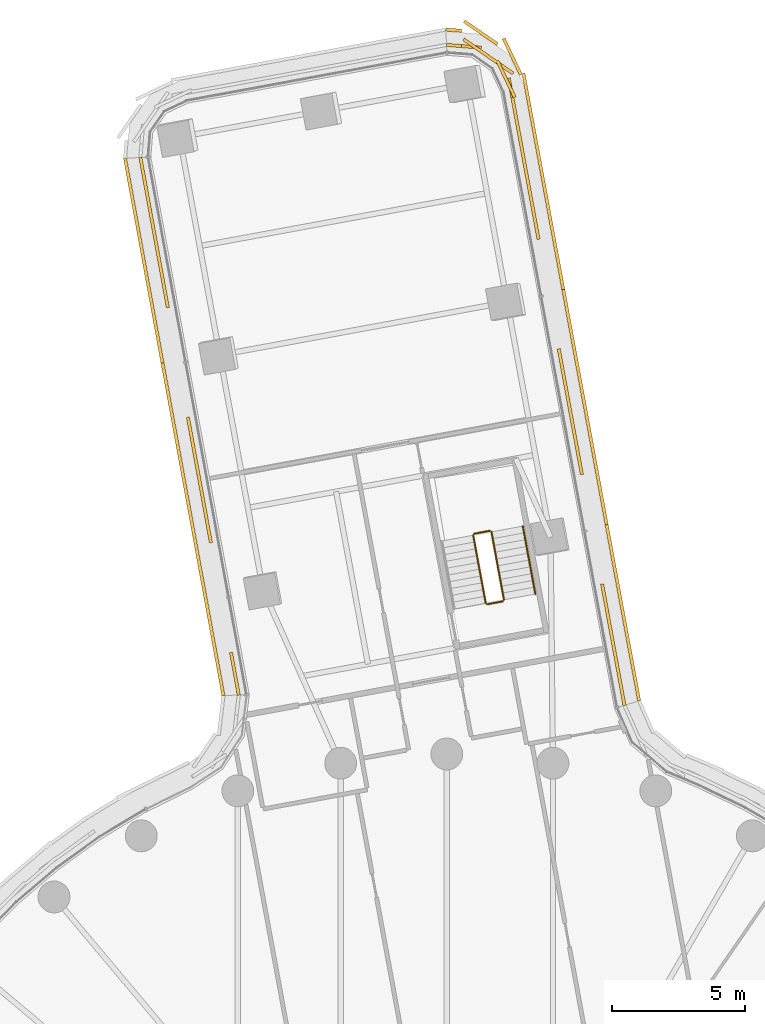
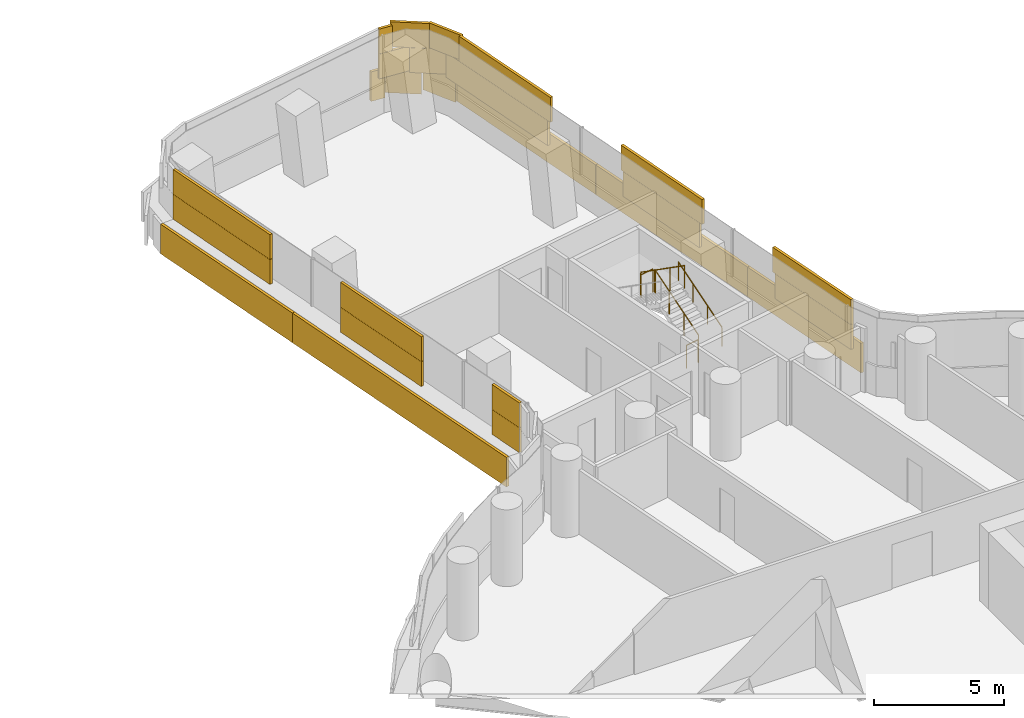
# One storey, part 32 of 33: 5 coverings, 5 railings.
"""IFC4 building model written with IfcOpenShell, lengths in metres."""

from ifc_helpers import new_model, si_unit, direction, frame, origin, origin_2d, place, context, subcontext, project, spatial, rectangle, circle, extrude, material, layer, layer_set, type_object, element, save


model = new_model("IFC4")

# Units and contexts
model_context = context("Model", 3, precision=1e-05, world=origin(), true_north=direction((0.0, 1.0)))
body_context = subcontext(model_context, "Body", "Model", "MODEL_VIEW")
ifc_project = project(units=[si_unit("LENGTHUNIT", "METRE"), si_unit("AREAUNIT", "SQUARE_METRE"), si_unit("VOLUMEUNIT", "CUBIC_METRE"), si_unit("PLANEANGLEUNIT", "RADIAN"), si_unit("MASSUNIT", "GRAM", prefix="KILO")], contexts=[model_context])

# Site, building, storey
site_placement = place(None, origin())
site = spatial("IfcSite", under=ifc_project, at=site_placement, CompositionType="ELEMENT")
building_placement = place(site_placement, origin())
building = spatial("IfcBuilding", under=site, at=building_placement, Name="Tamarind Cross Interchange Tower", CompositionType="ELEMENT")
storey_placement = place(building_placement, frame((0.0, 0.0, 71.5)))
storey = spatial("IfcBuildingStorey", under=building, at=storey_placement, Name="L16", CompositionType="ELEMENT", Elevation=71.5)

# Railings
ifc_material_1 = material(Name="Stair guard")
railing_type_1 = type_object("IfcRailingType", Name="Stair guard", PredefinedType="GUARDRAIL", material=ifc_material_1)
railing_1_placement = place(storey_placement, frame((2.152099609375, 28.802978515625, 0.17041015625)))
element("IfcRailing", 1, at=railing_1_placement, inside=storey, type_object=railing_type_1, Name="L16 ST4 stair guard 1", PredefinedType="GUARDRAIL", context=body_context, shape_type="SweptSolid", body=[
    extrude(circle(Radius=0.02392578125, at=origin_2d()), frame((0.0, 0.0, 1.076171875), z_axis=(-0.151715164176, 0.822418692761, 0.548279128507), x_axis=(-0.983406930214, -0.181413366674, 0.0)), (0.0, 0.0, 1.0), 3.10888671875),
    extrude(circle(Radius=0.02099609375, at=origin_2d()), origin(), (0.0, 0.0, 1.0), 1.052001953125),
    extrude(circle(Radius=0.02099609375, at=origin_2d()), frame((-0.1572265625, 0.852294921875, 0.568115234375)), (0.0, 0.0, 1.0), 1.052001953125),
    extrude(circle(Radius=0.02099609375, at=origin_2d()), frame((-0.314453125, 1.70458984375, 1.136474609375)), (0.0, 0.0, 1.0), 1.052001953125),
    extrude(circle(Radius=0.02099609375, at=origin_2d()), frame((-0.4716796875, 2.556884765625, 1.70458984375)), (0.0, 0.0, 1.0), 1.052001953125),
])
railing_2_placement = place(storey_placement, frame((1.622314453125, 31.400146484375, 1.875)))
element("IfcRailing", 2, at=railing_2_placement, inside=storey, type_object=railing_type_1, Name="L16 ST4 stair guard 2", PredefinedType="GUARDRAIL", context=body_context, shape_type="SweptSolid", body=[
    extrude(circle(Radius=0.02392578125, at=origin_2d()), frame((0.0, 0.0, 1.076171875), z_axis=(-0.983397821889, -0.1814627342, 0.0), x_axis=(0.1814627342, -0.983397821889, 0.0)), (0.0, 0.0, 1.0), 0.60009765625),
    extrude(circle(Radius=0.02099609375, at=origin_2d()), origin(), (0.0, 0.0, 1.0), 1.052001953125),
    extrude(circle(Radius=0.02099609375, at=origin_2d()), frame((-0.590087890625, -0.10888671875, 0.0)), (0.0, 0.0, 1.0), 1.052001953125),
])
railing_3_placement = place(storey_placement, frame((0.9921875, 31.23291015625, 2.04541015625)))
element("IfcRailing", 3, at=railing_3_placement, inside=storey, type_object=railing_type_1, Name="L16 ST4 stair guard 3", PredefinedType="GUARDRAIL", context=body_context, shape_type="SweptSolid", body=[
    extrude(circle(Radius=0.02392578125, at=origin_2d()), frame((0.0, 0.0, 1.076171875), z_axis=(0.151638442794, -0.822428488544, 0.54828565903), x_axis=(0.983423678231, 0.181322555396, 0.0)), (0.0, 0.0, 1.0), 3.10888671875),
    extrude(circle(Radius=0.02099609375, at=origin_2d()), origin(), (0.0, 0.0, 1.0), 1.052001953125),
    extrude(circle(Radius=0.02099609375, at=origin_2d()), frame((0.1572265625, -0.852294921875, 0.568115234375)), (0.0, 0.0, 1.0), 1.052001953125),
    extrude(circle(Radius=0.02099609375, at=origin_2d()), frame((0.314208984375, -1.70458984375, 1.136474609375)), (0.0, 0.0, 1.0), 1.052001953125),
    extrude(circle(Radius=0.02099609375, at=origin_2d()), frame((0.471435546875, -2.556884765625, 1.70458984375)), (0.0, 0.0, 1.0), 1.052001953125),
])
railing_4_placement = place(storey_placement, frame((2.11181640625, 28.744873046875, 0.0)))
element("IfcRailing", 4, at=railing_4_placement, inside=storey, type_object=railing_type_1, Name="L16 ST4 stair guard 4", PredefinedType="GUARDRAIL", context=body_context, shape_type="SweptSolid", body=[
    extrude(circle(Radius=0.02392578125, at=origin_2d()), frame((0.0, 0.0, 1.076171875), z_axis=(-0.983397821889, -0.1814627342, 0.0), x_axis=(0.1814627342, -0.983397821889, 0.0)), (0.0, 0.0, 1.0), 0.60009765625),
    extrude(circle(Radius=0.02099609375, at=origin_2d()), origin(), (0.0, 0.0, 1.0), 1.052001953125),
    extrude(circle(Radius=0.02099609375, at=origin_2d()), frame((-0.590087890625, -0.10888671875, 0.0)), (0.0, 0.0, 1.0), 1.052001953125),
])
ifc_material_2 = material(Name="Stair handrail")
railing_type_2 = type_object("IfcRailingType", Name="Stair handrail", PredefinedType="HANDRAIL", material=ifc_material_2)
railing_5_placement = place(storey_placement, frame((3.33203125, 29.020751953125, 0.17041015625)))
element("IfcRailing", 5, at=railing_5_placement, inside=storey, type_object=railing_type_2, Name="L16 ST4 stair handrail 1", PredefinedType="HANDRAIL", context=body_context, shape_type="SweptSolid", body=[
    extrude(circle(Radius=0.02392578125, at=origin_2d()), frame((0.0, 0.0, 0.8759765625), z_axis=(-0.151638442794, 0.822428488544, 0.54828565903), x_axis=(-0.983423678231, -0.181322555396, 0.0)), (0.0, 0.0, 1.0), 3.10888671875),
    extrude(circle(Radius=0.02099609375, at=origin_2d()), origin(), (0.0, 0.0, 1.0), 0.851806640625),
    extrude(circle(Radius=0.02099609375, at=origin_2d()), frame((-0.1572265625, 0.852294921875, 0.568115234375)), (0.0, 0.0, 1.0), 0.851806640625),
    extrude(circle(Radius=0.02099609375, at=origin_2d()), frame((-0.314208984375, 1.70458984375, 1.136474609375)), (0.0, 0.0, 1.0), 0.851806640625),
    extrude(circle(Radius=0.02099609375, at=origin_2d()), frame((-0.471435546875, 2.556884765625, 1.70458984375)), (0.0, 0.0, 1.0), 0.851806640625),
])

# Coverings
ifc_material_3 = material(Name="Terracotta", Category="masonry")
ifc_layer = layer(ifc_material_3, 0.1201171875)
ifc_layer_set = layer_set([ifc_layer], Name="Terracotta")
covering_type = type_object("IfcCoveringType", Name="Terracotta baguette screen unit", PredefinedType="MOLDING", material=ifc_layer_set)
covering_1_placement = place(storey_placement, origin())
element("IfcCovering", 6, at=covering_1_placement, inside=storey, type_object=covering_type, Name="SCR-L16-11-00", PredefinedType="MOLDING", context=body_context, shape_type="SweptSolid", body=[
    extrude(rectangle(XDim=1.510009765625, YDim=0.1201171875, at=origin_2d()), frame((6.55126953125, 25.570068359375, 1.404052734375), z_axis=(0.0, 0.0, 1.0), x_axis=(-0.181343076715, 0.983419894311, 0.0)), (0.0, 0.0, 1.0), 1.1669921875),
    extrude(rectangle(XDim=1.52001953125, YDim=0.1201171875, at=origin_2d()), frame((6.279296875, 27.045166015625, 1.404052734375), z_axis=(0.0, 0.0, 1.0), x_axis=(-0.181343076715, 0.983419894311, 0.0)), (0.0, 0.0, 1.0), 1.1669921875),
    extrude(rectangle(XDim=1.52001953125, YDim=0.1201171875, at=origin_2d()), frame((6.007080078125, 28.5205078125, 1.404052734375), z_axis=(0.0, 0.0, 1.0), x_axis=(-0.181343076715, 0.983419894311, 0.0)), (0.0, 0.0, 1.0), 1.1669921875),
    extrude(rectangle(XDim=0.760009765625, YDim=0.1201171875, at=origin_2d()), frame((6.619140625, 25.201416015625, 2.5791015625), z_axis=(0.0, 0.0, 1.0), x_axis=(-0.181343076715, 0.983419894311, 0.0)), (0.0, 0.0, 1.0), 1.1669921875),
    extrude(rectangle(XDim=1.52001953125, YDim=0.1201171875, at=origin_2d()), frame((6.415283203125, 26.3076171875, 2.5791015625), z_axis=(0.0, 0.0, 1.0), x_axis=(-0.181343076715, 0.983419894311, 0.0)), (0.0, 0.0, 1.0), 1.1669921875),
    extrude(rectangle(XDim=1.52001953125, YDim=0.1201171875, at=origin_2d()), frame((6.14306640625, 27.782958984375, 2.5791015625), z_axis=(0.0, 0.0, 1.0), x_axis=(-0.181343076715, 0.983419894311, 0.0)), (0.0, 0.0, 1.0), 1.1669921875),
    extrude(rectangle(XDim=0.89794921875, YDim=0.1201171875, at=origin_2d()), frame((5.9267578125, 28.95703125, 2.5791015625), z_axis=(0.0, 0.0, 1.0), x_axis=(-0.181343076715, 0.983419894311, 0.0)), (0.0, 0.0, 1.0), 1.1669921875),
    extrude(rectangle(XDim=1.510009765625, YDim=0.1201171875, at=origin_2d()), frame((7.102783203125, 25.74462890625, 0.00390625), z_axis=(0.0, 0.0, 1.0), x_axis=(-0.181343076715, 0.983419894311, 0.0)), (0.0, 0.0, 1.0), 1.39208984375),
    extrude(rectangle(XDim=1.52001953125, YDim=0.1201171875, at=origin_2d()), frame((6.83154296875, 27.21484375, 0.00390625), z_axis=(0.0, 0.0, 1.0), x_axis=(-0.181343076715, 0.983419894311, 0.0)), (0.0, 0.0, 1.0), 1.39208984375),
    extrude(rectangle(XDim=1.52001953125, YDim=0.1201171875, at=origin_2d()), frame((6.5595703125, 28.68994140625, 0.00390625), z_axis=(0.0, 0.0, 1.0), x_axis=(-0.181343076715, 0.983419894311, 0.0)), (0.0, 0.0, 1.0), 1.39208984375),
    extrude(rectangle(XDim=1.52001953125, YDim=0.1201171875, at=origin_2d()), frame((6.28759765625, 30.1650390625, 0.00390625), z_axis=(0.0, 0.0, 1.0), x_axis=(-0.181343076715, 0.983419894311, 0.0)), (0.0, 0.0, 1.0), 1.39208984375),
    extrude(rectangle(XDim=0.75048828125, YDim=0.1201171875, at=origin_2d()), frame((6.08544921875, 31.26171875, 0.00390625), z_axis=(0.0, 0.0, 1.0), x_axis=(-0.181343076715, 0.983419894311, 0.0)), (0.0, 0.0, 1.0), 1.39208984375),
])
covering_2_placement = place(storey_placement, origin())
element("IfcCovering", 7, at=covering_2_placement, inside=storey, type_object=covering_type, Name="SCR-L16-11-01", PredefinedType="MOLDING", context=body_context, shape_type="SweptSolid", body=[
    extrude(rectangle(XDim=1.52001953125, YDim=0.1201171875, at=origin_2d()), frame((4.919189453125, 34.4208984375, 1.404052734375), z_axis=(0.0, 0.0, 1.0), x_axis=(-0.181343076715, 0.983419894311, 0.0)), (0.0, 0.0, 1.0), 1.1669921875),
    extrude(rectangle(XDim=1.52001953125, YDim=0.1201171875, at=origin_2d()), frame((4.647216796875, 35.89599609375, 1.404052734375), z_axis=(0.0, 0.0, 1.0), x_axis=(-0.181343076715, 0.983419894311, 0.0)), (0.0, 0.0, 1.0), 1.1669921875),
    extrude(rectangle(XDim=1.52001953125, YDim=0.1201171875, at=origin_2d()), frame((4.375, 37.37109375, 1.404052734375), z_axis=(0.0, 0.0, 1.0), x_axis=(-0.181343076715, 0.983419894311, 0.0)), (0.0, 0.0, 1.0), 1.1669921875),
    extrude(rectangle(XDim=0.922119140625, YDim=0.1201171875, at=origin_2d()), frame((5.001708984375, 33.972412109375, 2.5791015625), z_axis=(0.0, 0.0, 1.0), x_axis=(-0.181343076715, 0.983419894311, 0.0)), (0.0, 0.0, 1.0), 1.1669921875),
    extrude(rectangle(XDim=1.52001953125, YDim=0.1201171875, at=origin_2d()), frame((4.783203125, 35.158447265625, 2.5791015625), z_axis=(0.0, 0.0, 1.0), x_axis=(-0.181343076715, 0.983419894311, 0.0)), (0.0, 0.0, 1.0), 1.1669921875),
    extrude(rectangle(XDim=1.52001953125, YDim=0.1201171875, at=origin_2d()), frame((4.510986328125, 36.633544921875, 2.5791015625), z_axis=(0.0, 0.0, 1.0), x_axis=(-0.181343076715, 0.983419894311, 0.0)), (0.0, 0.0, 1.0), 1.1669921875),
    extrude(rectangle(XDim=0.8984375, YDim=0.1201171875, at=origin_2d()), frame((4.29443359375, 37.80810546875, 2.5791015625), z_axis=(0.0, 0.0, 1.0), x_axis=(-0.181343076715, 0.983419894311, 0.0)), (0.0, 0.0, 1.0), 1.1669921875),
    extrude(rectangle(XDim=0.76953125, YDim=0.1201171875, at=origin_2d()), frame((5.947509765625, 32.00927734375, 0.00390625), z_axis=(0.0, 0.0, 1.0), x_axis=(-0.181343076715, 0.983419894311, 0.0)), (0.0, 0.0, 1.0), 1.39208984375),
    extrude(rectangle(XDim=1.52001953125, YDim=0.1201171875, at=origin_2d()), frame((5.74365234375, 33.115234375, 0.00390625), z_axis=(0.0, 0.0, 1.0), x_axis=(-0.181343076715, 0.983419894311, 0.0)), (0.0, 0.0, 1.0), 1.39208984375),
    extrude(rectangle(XDim=1.52001953125, YDim=0.1201171875, at=origin_2d()), frame((5.471435546875, 34.590576171875, 0.00390625), z_axis=(0.0, 0.0, 1.0), x_axis=(-0.181343076715, 0.983419894311, 0.0)), (0.0, 0.0, 1.0), 1.39208984375),
    extrude(rectangle(XDim=1.52001953125, YDim=0.1201171875, at=origin_2d()), frame((5.199462890625, 36.065673828125, 0.00390625), z_axis=(0.0, 0.0, 1.0), x_axis=(-0.181343076715, 0.983419894311, 0.0)), (0.0, 0.0, 1.0), 1.39208984375),
    extrude(rectangle(XDim=1.52001953125, YDim=0.1201171875, at=origin_2d()), frame((4.927490234375, 37.540771484375, 0.00390625), z_axis=(0.0, 0.0, 1.0), x_axis=(-0.181343076715, 0.983419894311, 0.0)), (0.0, 0.0, 1.0), 1.39208984375),
    extrude(rectangle(XDim=1.52001953125, YDim=0.1201171875, at=origin_2d()), frame((4.655517578125, 39.015869140625, 0.00390625), z_axis=(0.0, 0.0, 1.0), x_axis=(-0.181343076715, 0.983419894311, 0.0)), (0.0, 0.0, 1.0), 1.39208984375),
    extrude(rectangle(XDim=0.75439453125, YDim=0.1201171875, at=origin_2d()), frame((4.452880859375, 40.114501953125, 0.00390625), z_axis=(0.0, 0.0, 1.0), x_axis=(-0.181343076715, 0.983419894311, 0.0)), (0.0, 0.0, 1.0), 1.39208984375),
])
covering_3_placement = place(storey_placement, origin())
element("IfcCovering", 8, at=covering_3_placement, inside=storey, type_object=covering_type, Name="SCR-L16-11-02", PredefinedType="MOLDING", context=body_context, shape_type="SweptSolid", body=[
    extrude(rectangle(XDim=1.52001953125, YDim=0.1201171875, at=origin_2d()), frame((3.287109375, 43.271728515625, 1.404052734375), z_axis=(0.0, 0.0, 1.0), x_axis=(-0.181343076715, 0.983419894311, 0.0)), (0.0, 0.0, 1.0), 1.1669921875),
    extrude(rectangle(XDim=1.52001953125, YDim=0.1201171875, at=origin_2d()), frame((3.014892578125, 44.746826171875, 1.404052734375), z_axis=(0.0, 0.0, 1.0), x_axis=(-0.181343076715, 0.983419894311, 0.0)), (0.0, 0.0, 1.0), 1.1669921875),
    extrude(rectangle(XDim=1.52001953125, YDim=0.1201171875, at=origin_2d()), frame((2.742919921875, 46.221923828125, 1.404052734375), z_axis=(0.0, 0.0, 1.0), x_axis=(-0.181343076715, 0.983419894311, 0.0)), (0.0, 0.0, 1.0), 1.1669921875),
    extrude(rectangle(XDim=1.52001953125, YDim=0.1201171875, at=origin_2d()), frame((2.470947265625, 47.697021484375, 1.404052734375), z_axis=(0.0, 0.0, 1.0), x_axis=(-0.181343076715, 0.983419894311, 0.0)), (0.0, 0.0, 1.0), 1.1669921875),
    extrude(rectangle(XDim=1.52001953125, YDim=0.1201171875, at=origin_2d()), frame((1.8701171875, 49.04541015625, 1.404052734375), z_axis=(0.0, 0.0, 1.0), x_axis=(-0.823611795288, 0.567153956755, 0.0)), (0.0, 0.0, 1.0), 1.1669921875),
    extrude(rectangle(XDim=1.31689453125, YDim=0.1201171875, at=origin_2d()), frame((0.641845703125, 49.6376953125, 1.404052734375), z_axis=(0.0, 0.0, 1.0), x_axis=(-0.996845715953, 0.079363836763, 0.0)), (0.0, 0.0, 1.0), 1.1669921875),
    extrude(rectangle(XDim=0.921630859375, YDim=0.1201171875, at=origin_2d()), frame((3.36962890625, 42.823486328125, 2.5791015625), z_axis=(0.0, 0.0, 1.0), x_axis=(-0.181343076715, 0.983419894311, 0.0)), (0.0, 0.0, 1.0), 1.1669921875),
    extrude(rectangle(XDim=1.52001953125, YDim=0.1201171875, at=origin_2d()), frame((3.151123046875, 44.00927734375, 2.5791015625), z_axis=(0.0, 0.0, 1.0), x_axis=(-0.181343076715, 0.983419894311, 0.0)), (0.0, 0.0, 1.0), 1.1669921875),
    extrude(rectangle(XDim=1.52001953125, YDim=0.1201171875, at=origin_2d()), frame((2.87890625, 45.484375, 2.5791015625), z_axis=(0.0, 0.0, 1.0), x_axis=(-0.181343076715, 0.983419894311, 0.0)), (0.0, 0.0, 1.0), 1.1669921875),
    extrude(rectangle(XDim=1.52001953125, YDim=0.1201171875, at=origin_2d()), frame((2.60693359375, 46.95947265625, 2.5791015625), z_axis=(0.0, 0.0, 1.0), x_axis=(-0.181343076715, 0.983419894311, 0.0)), (0.0, 0.0, 1.0), 1.1669921875),
    extrude(rectangle(XDim=1.52001953125, YDim=0.1201171875, at=origin_2d()), frame((2.23095703125, 48.40087890625, 2.5791015625), z_axis=(0.0, 0.0, 1.0), x_axis=(-0.429691759198, 0.902975632051, 0.0)), (0.0, 0.0, 1.0), 1.1669921875),
    extrude(rectangle(XDim=1.52001953125, YDim=0.1201171875, at=origin_2d()), frame((1.25244140625, 49.470703125, 2.5791015625), z_axis=(0.0, 0.0, 1.0), x_axis=(-0.823611795288, 0.567153956755, 0.0)), (0.0, 0.0, 1.0), 1.1669921875),
    extrude(rectangle(XDim=0.56689453125, YDim=0.1201171875, at=origin_2d()), frame((0.26806640625, 49.66748046875, 2.5791015625), z_axis=(0.0, 0.0, 1.0), x_axis=(-0.996845715953, 0.079363836763, 0.0)), (0.0, 0.0, 1.0), 1.1669921875),
    extrude(rectangle(XDim=0.765625, YDim=0.1201171875, at=origin_2d()), frame((4.31494140625, 40.862060546875, 0.00390625), z_axis=(0.0, 0.0, 1.0), x_axis=(-0.181343076715, 0.983419894311, 0.0)), (0.0, 0.0, 1.0), 1.39208984375),
    extrude(rectangle(XDim=1.52001953125, YDim=0.1201171875, at=origin_2d()), frame((4.111572265625, 41.966064453125, 0.00390625), z_axis=(0.0, 0.0, 1.0), x_axis=(-0.181343076715, 0.983419894311, 0.0)), (0.0, 0.0, 1.0), 1.39208984375),
    extrude(rectangle(XDim=1.52001953125, YDim=0.1201171875, at=origin_2d()), frame((3.83935546875, 43.441162109375, 0.00390625), z_axis=(0.0, 0.0, 1.0), x_axis=(-0.181343076715, 0.983419894311, 0.0)), (0.0, 0.0, 1.0), 1.39208984375),
    extrude(rectangle(XDim=1.52001953125, YDim=0.1201171875, at=origin_2d()), frame((3.5673828125, 44.916259765625, 0.00390625), z_axis=(0.0, 0.0, 1.0), x_axis=(-0.181343076715, 0.983419894311, 0.0)), (0.0, 0.0, 1.0), 1.39208984375),
    extrude(rectangle(XDim=1.52001953125, YDim=0.1201171875, at=origin_2d()), frame((3.29541015625, 46.3916015625, 0.00390625), z_axis=(0.0, 0.0, 1.0), x_axis=(-0.181343076715, 0.983419894311, 0.0)), (0.0, 0.0, 1.0), 1.39208984375),
    extrude(rectangle(XDim=1.52001953125, YDim=0.1201171875, at=origin_2d()), frame((3.0234375, 47.86669921875, 0.00390625), z_axis=(0.0, 0.0, 1.0), x_axis=(-0.181343076715, 0.983419894311, 0.0)), (0.0, 0.0, 1.0), 1.39208984375),
    extrude(rectangle(XDim=1.52001953125, YDim=0.1201171875, at=origin_2d()), frame((2.46337890625, 49.24853515625, 0.00390625), z_axis=(0.0, 0.0, 1.0), x_axis=(-0.429691759198, 0.902975632051, 0.0)), (0.0, 0.0, 1.0), 1.39208984375),
    extrude(rectangle(XDim=1.52001953125, YDim=0.1201171875, at=origin_2d()), frame((1.283203125, 50.146484375, 0.00390625), z_axis=(0.0, 0.0, 1.0), x_axis=(-0.823611795288, 0.567153956755, 0.0)), (0.0, 0.0, 1.0), 1.39208984375),
    extrude(rectangle(XDim=0.59228515625, YDim=0.1201171875, at=origin_2d()), frame((0.255859375, 50.244140625, 0.00390625), z_axis=(0.0, 0.0, 1.0), x_axis=(-0.996845715953, 0.079363836763, 0.0)), (0.0, 0.0, 1.0), 1.39208984375),
])
covering_4_placement = place(storey_placement, origin())
element("IfcCovering", 9, at=covering_4_placement, inside=storey, type_object=covering_type, Name="SCR-L16-13-00", PredefinedType="MOLDING", context=body_context, shape_type="SweptSolid", body=[
    extrude(rectangle(XDim=1.510009765625, YDim=0.1201171875, at=origin_2d()), frame((-11.39892578125, 44.713623046875, 1.404052734375), z_axis=(0.0, 0.0, 1.0), x_axis=(0.180086190758, -0.98365083434, 0.0)), (0.0, 0.0, 1.0), 1.1669921875),
    extrude(rectangle(XDim=1.52001953125, YDim=0.1201171875, at=origin_2d()), frame((-11.128662109375, 43.238037109375, 1.404052734375), z_axis=(0.0, 0.0, 1.0), x_axis=(0.180086190758, -0.98365083434, 0.0)), (0.0, 0.0, 1.0), 1.1669921875),
    extrude(rectangle(XDim=1.52001953125, YDim=0.1201171875, at=origin_2d()), frame((-10.858642578125, 41.762451171875, 1.404052734375), z_axis=(0.0, 0.0, 1.0), x_axis=(0.180086190758, -0.98365083434, 0.0)), (0.0, 0.0, 1.0), 1.1669921875),
    extrude(rectangle(XDim=1.25146484375, YDim=0.1201171875, at=origin_2d()), frame((-10.61181640625, 40.414306640625, 1.404052734375), z_axis=(0.0, 0.0, 1.0), x_axis=(0.180086190758, -0.98365083434, 0.0)), (0.0, 0.0, 1.0), 1.1669921875),
    extrude(rectangle(XDim=0.760009765625, YDim=0.1201171875, at=origin_2d()), frame((-11.46630859375, 45.082275390625, 2.5791015625), z_axis=(0.0, 0.0, 1.0), x_axis=(0.180086190758, -0.98365083434, 0.0)), (0.0, 0.0, 1.0), 1.1669921875),
    extrude(rectangle(XDim=1.52001953125, YDim=0.1201171875, at=origin_2d()), frame((-11.263916015625, 43.975830078125, 2.5791015625), z_axis=(0.0, 0.0, 1.0), x_axis=(0.180086190758, -0.98365083434, 0.0)), (0.0, 0.0, 1.0), 1.1669921875),
    extrude(rectangle(XDim=1.52001953125, YDim=0.1201171875, at=origin_2d()), frame((-10.99365234375, 42.500244140625, 2.5791015625), z_axis=(0.0, 0.0, 1.0), x_axis=(0.180086190758, -0.98365083434, 0.0)), (0.0, 0.0, 1.0), 1.1669921875),
    extrude(rectangle(XDim=1.52001953125, YDim=0.1201171875, at=origin_2d()), frame((-10.7236328125, 41.02490234375, 2.5791015625), z_axis=(0.0, 0.0, 1.0), x_axis=(0.180086190758, -0.98365083434, 0.0)), (0.0, 0.0, 1.0), 1.1669921875),
    extrude(rectangle(XDim=0.50146484375, YDim=0.1201171875, at=origin_2d()), frame((-10.544189453125, 40.04541015625, 2.5791015625), z_axis=(0.0, 0.0, 1.0), x_axis=(0.180086190758, -0.98365083434, 0.0)), (0.0, 0.0, 1.0), 1.1669921875),
    extrude(rectangle(XDim=1.510009765625, YDim=0.1201171875, at=origin_2d()), frame((-11.97607421875, 44.67919921875, 0.00390625), z_axis=(0.0, 0.0, 1.0), x_axis=(0.180086190758, -0.98365083434, 0.0)), (0.0, 0.0, 1.0), 1.39208984375),
    extrude(rectangle(XDim=1.52001953125, YDim=0.1201171875, at=origin_2d()), frame((-11.706787109375, 43.208740234375, 0.00390625), z_axis=(0.0, 0.0, 1.0), x_axis=(0.180086190758, -0.98365083434, 0.0)), (0.0, 0.0, 1.0), 1.39208984375),
    extrude(rectangle(XDim=1.52001953125, YDim=0.1201171875, at=origin_2d()), frame((-11.436767578125, 41.733154296875, 0.00390625), z_axis=(0.0, 0.0, 1.0), x_axis=(0.180086190758, -0.98365083434, 0.0)), (0.0, 0.0, 1.0), 1.39208984375),
    extrude(rectangle(XDim=1.52001953125, YDim=0.1201171875, at=origin_2d()), frame((-11.166748046875, 40.257568359375, 0.00390625), z_axis=(0.0, 0.0, 1.0), x_axis=(0.180086190758, -0.98365083434, 0.0)), (0.0, 0.0, 1.0), 1.39208984375),
    extrude(rectangle(XDim=1.52001953125, YDim=0.1201171875, at=origin_2d()), frame((-10.896484375, 38.7822265625, 0.00390625), z_axis=(0.0, 0.0, 1.0), x_axis=(0.180086190758, -0.98365083434, 0.0)), (0.0, 0.0, 1.0), 1.39208984375),
    extrude(rectangle(XDim=0.34716796875, YDim=0.1201171875, at=origin_2d()), frame((-10.73193359375, 37.883544921875, 0.00390625), z_axis=(0.0, 0.0, 1.0), x_axis=(0.180086190758, -0.98365083434, 0.0)), (0.0, 0.0, 1.0), 1.39208984375),
])
covering_5_placement = place(storey_placement, origin())
element("IfcCovering", 10, at=covering_5_placement, inside=storey, type_object=covering_type, Name="SCR-L16-13-01", PredefinedType="MOLDING", context=body_context, shape_type="SweptSolid", body=[
    extrude(rectangle(XDim=0.568603515625, YDim=0.1201171875, at=origin_2d()), frame((-9.693359375, 35.397705078125, 1.404052734375), z_axis=(0.0, 0.0, 1.0), x_axis=(0.180086190758, -0.98365083434, 0.0)), (0.0, 0.0, 1.0), 1.1669921875),
    extrude(rectangle(XDim=1.52001953125, YDim=0.1201171875, at=origin_2d()), frame((-9.508056640625, 34.38525390625, 1.404052734375), z_axis=(0.0, 0.0, 1.0), x_axis=(0.180086190758, -0.98365083434, 0.0)), (0.0, 0.0, 1.0), 1.1669921875),
    extrude(rectangle(XDim=1.52001953125, YDim=0.1201171875, at=origin_2d()), frame((-9.23779296875, 32.90966796875, 1.404052734375), z_axis=(0.0, 0.0, 1.0), x_axis=(0.180086190758, -0.98365083434, 0.0)), (0.0, 0.0, 1.0), 1.1669921875),
    extrude(rectangle(XDim=1.250732421875, YDim=0.1201171875, at=origin_2d()), frame((-8.990966796875, 31.561767578125, 1.404052734375), z_axis=(0.0, 0.0, 1.0), x_axis=(0.180086190758, -0.98365083434, 0.0)), (0.0, 0.0, 1.0), 1.1669921875),
    extrude(rectangle(XDim=0.5693359375, YDim=0.1201171875, at=origin_2d()), frame((-8.072509765625, 26.545166015625, 1.404052734375), z_axis=(0.0, 0.0, 1.0), x_axis=(0.180086190758, -0.98365083434, 0.0)), (0.0, 0.0, 1.0), 1.1669921875),
    extrude(rectangle(XDim=1.07958984375, YDim=0.1201171875, at=origin_2d()), frame((-7.926025390625, 25.744140625, 1.404052734375), z_axis=(0.0, 0.0, 1.0), x_axis=(0.180086190758, -0.98365083434, 0.0)), (0.0, 0.0, 1.0), 1.1669921875),
    extrude(rectangle(XDim=1.318603515625, YDim=0.1201171875, at=origin_2d()), frame((-9.625732421875, 35.02880859375, 2.5791015625), z_axis=(0.0, 0.0, 1.0), x_axis=(0.180086190758, -0.98365083434, 0.0)), (0.0, 0.0, 1.0), 1.1669921875),
    extrude(rectangle(XDim=1.52001953125, YDim=0.1201171875, at=origin_2d()), frame((-9.372802734375, 33.6474609375, 2.5791015625), z_axis=(0.0, 0.0, 1.0), x_axis=(0.180086190758, -0.98365083434, 0.0)), (0.0, 0.0, 1.0), 1.1669921875),
    extrude(rectangle(XDim=1.52001953125, YDim=0.1201171875, at=origin_2d()), frame((-9.102783203125, 32.171875, 2.5791015625), z_axis=(0.0, 0.0, 1.0), x_axis=(0.180086190758, -0.98365083434, 0.0)), (0.0, 0.0, 1.0), 1.1669921875),
    extrude(rectangle(XDim=0.500732421875, YDim=0.1201171875, at=origin_2d()), frame((-8.923583984375, 31.19287109375, 2.5791015625), z_axis=(0.0, 0.0, 1.0), x_axis=(0.180086190758, -0.98365083434, 0.0)), (0.0, 0.0, 1.0), 1.1669921875),
    extrude(rectangle(XDim=1.3193359375, YDim=0.1201171875, at=origin_2d()), frame((-8.005126953125, 26.17626953125, 2.5791015625), z_axis=(0.0, 0.0, 1.0), x_axis=(0.180086190758, -0.98365083434, 0.0)), (0.0, 0.0, 1.0), 1.1669921875),
    extrude(rectangle(XDim=0.32958984375, YDim=0.1201171875, at=origin_2d()), frame((-7.8583984375, 25.375244140625, 2.5791015625), z_axis=(0.0, 0.0, 1.0), x_axis=(0.180086190758, -0.98365083434, 0.0)), (0.0, 0.0, 1.0), 1.1669921875),
    extrude(rectangle(XDim=1.1728515625, YDim=0.1201171875, at=origin_2d()), frame((-10.59521484375, 37.135986328125, 0.00390625), z_axis=(0.0, 0.0, 1.0), x_axis=(0.180086190758, -0.98365083434, 0.0)), (0.0, 0.0, 1.0), 1.39208984375),
    extrude(rectangle(XDim=1.52001953125, YDim=0.1201171875, at=origin_2d()), frame((-10.356201171875, 35.831298828125, 0.00390625), z_axis=(0.0, 0.0, 1.0), x_axis=(0.180086190758, -0.98365083434, 0.0)), (0.0, 0.0, 1.0), 1.39208984375),
    extrude(rectangle(XDim=1.52001953125, YDim=0.1201171875, at=origin_2d()), frame((-10.086181640625, 34.355712890625, 0.00390625), z_axis=(0.0, 0.0, 1.0), x_axis=(0.180086190758, -0.98365083434, 0.0)), (0.0, 0.0, 1.0), 1.39208984375),
    extrude(rectangle(XDim=1.52001953125, YDim=0.1201171875, at=origin_2d()), frame((-9.81591796875, 32.88037109375, 0.00390625), z_axis=(0.0, 0.0, 1.0), x_axis=(0.180086190758, -0.98365083434, 0.0)), (0.0, 0.0, 1.0), 1.39208984375),
    extrude(rectangle(XDim=1.52001953125, YDim=0.1201171875, at=origin_2d()), frame((-9.5458984375, 31.40478515625, 0.00390625), z_axis=(0.0, 0.0, 1.0), x_axis=(0.180086190758, -0.98365083434, 0.0)), (0.0, 0.0, 1.0), 1.39208984375),
    extrude(rectangle(XDim=1.52001953125, YDim=0.1201171875, at=origin_2d()), frame((-9.275634765625, 29.929443359375, 0.00390625), z_axis=(0.0, 0.0, 1.0), x_axis=(0.180086190758, -0.98365083434, 0.0)), (0.0, 0.0, 1.0), 1.39208984375),
    extrude(rectangle(XDim=1.52001953125, YDim=0.1201171875, at=origin_2d()), frame((-9.005615234375, 28.453857421875, 0.00390625), z_axis=(0.0, 0.0, 1.0), x_axis=(0.180086190758, -0.98365083434, 0.0)), (0.0, 0.0, 1.0), 1.39208984375),
    extrude(rectangle(XDim=1.52001953125, YDim=0.1201171875, at=origin_2d()), frame((-8.735595703125, 26.978271484375, 0.00390625), z_axis=(0.0, 0.0, 1.0), x_axis=(0.180086190758, -0.98365083434, 0.0)), (0.0, 0.0, 1.0), 1.39208984375),
    extrude(rectangle(XDim=1.068115234375, YDim=0.1201171875, at=origin_2d()), frame((-8.506103515625, 25.72509765625, 0.00390625), z_axis=(0.0, 0.0, 1.0), x_axis=(0.180086190758, -0.98365083434, 0.0)), (0.0, 0.0, 1.0), 1.39208984375),
])

save(model, "model.ifc")
